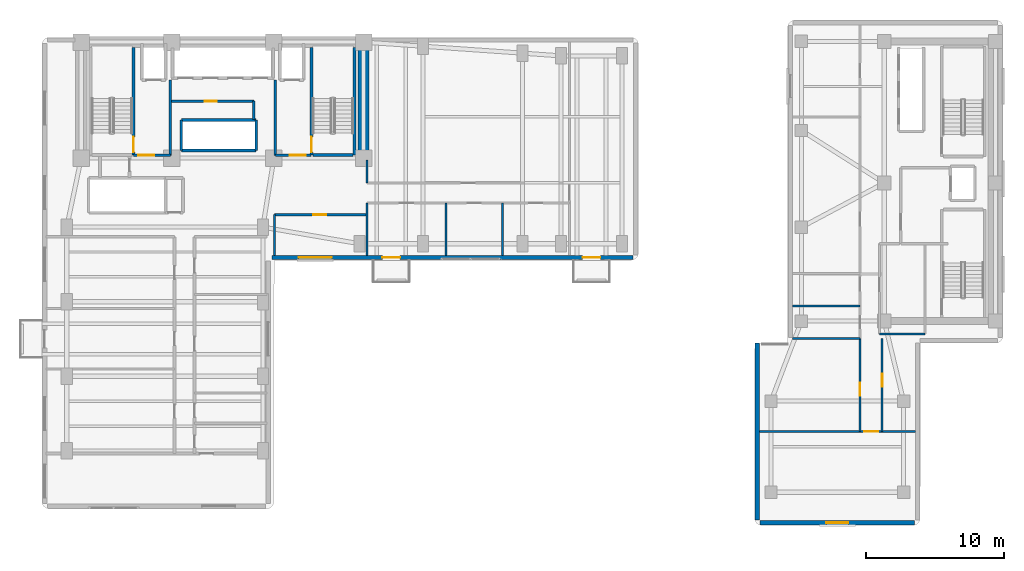
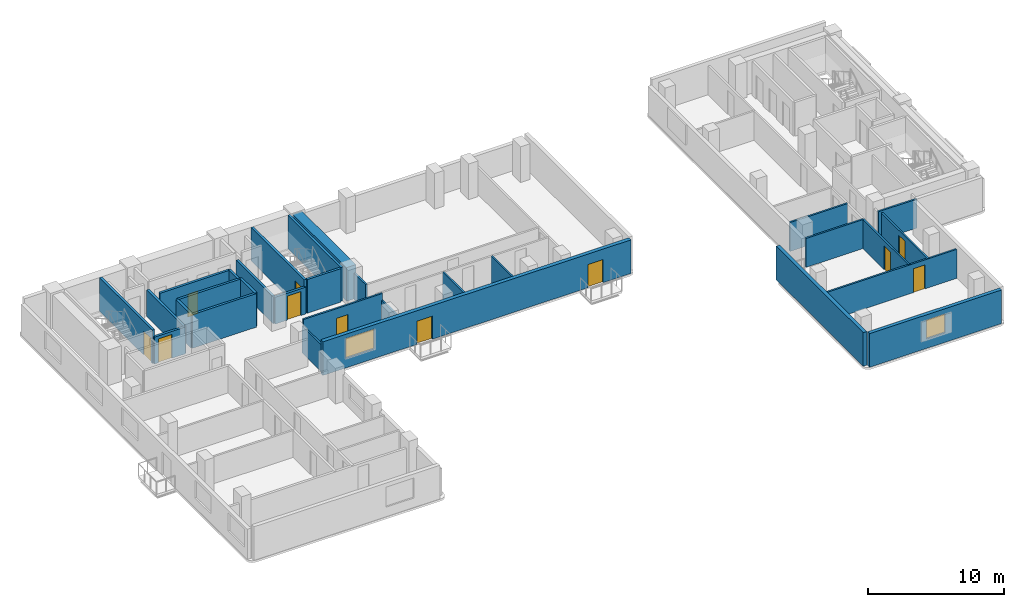
# One storey, part 9 of 14: 30 walls, 11 doors, 2 windows, 13 openings.
"""IFC4 building model written with IfcOpenShell, lengths in metres."""

from ifc_helpers import new_model, si_unit, direction, frame, frame_2d, origin, place, context, subcontext, project, spatial, rectangle, extrude, material, layer, layer_set, type_object, element, fill, save


model = new_model("IFC4")

# Units and contexts
model_context = context("Model", 3, precision=1e-05, world=origin(), true_north=direction((0.0, 1.0)))
body_context = subcontext(model_context, "Body", "Model", "MODEL_VIEW")
ifc_project = project(units=[si_unit("LENGTHUNIT", "METRE"), si_unit("AREAUNIT", "SQUARE_METRE"), si_unit("VOLUMEUNIT", "CUBIC_METRE"), si_unit("PLANEANGLEUNIT", "RADIAN"), si_unit("MASSUNIT", "GRAM", prefix="KILO")], contexts=[model_context])

# Site, building, storey
site_placement = place(None, origin())
site = spatial("IfcSite", under=ifc_project, at=site_placement, CompositionType="ELEMENT")
building_placement = place(site_placement, origin())
building = spatial("IfcBuilding", under=site, at=building_placement, Name="Kuzgunbayir Cultural Tower", CompositionType="ELEMENT")
storey_placement = place(building_placement, frame((0.0, 0.0, 69.199951171875)))
storey = spatial("IfcBuildingStorey", under=building, at=storey_placement, Name="L19", CompositionType="ELEMENT", Elevation=69.199951171875)

# Wall
ifc_material_1 = material(Name="Concrete C60/75", Category="concrete")
ifc_layer_1 = layer(ifc_material_1, 0.800048828125)
ifc_layer_set_1 = layer_set([ifc_layer_1], Name="Concrete C60/75")
wall_type_1 = type_object("IfcWallType", Name="WAL-CORE-800", PredefinedType="SHEAR", material=ifc_layer_set_1)
wall_1_placement = place(storey_placement, frame((26.89990234375, 33.800048828125, 0.0), z_axis=(0.0, 0.0, 1.0), x_axis=(0.0, 1.0, 0.0)))
element("IfcWall", 1, at=wall_1_placement, inside=storey, type_object=wall_type_1, Name="L19 T1 Core East Shear Wall", PredefinedType="SHEAR", context=body_context, shape_type="SweptSolid", body=[
    extrude(rectangle(XDim=7.949951171875, YDim=0.800048828125, at=frame_2d((3.97509765625, 0.0))), origin(), (0.0, 0.0, 1.0), 3.02001953125),
])

# Wall, opening, window
ifc_material_2 = material(Name="Anatolian Cream Limestone", Category="masonry")
ifc_layer_2 = layer(ifc_material_2, 0.300048828125)
ifc_layer_set_2 = layer_set([ifc_layer_2], Name="Anatolian Cream Limestone")
wall_type_2 = type_object("IfcWallType", Name="WAL-EXT-STONE-300", PredefinedType="STANDARD", material=ifc_layer_set_2)
wall_2_placement = place(storey_placement, frame((55.60009765625, 7.39990234375, 0.0), z_axis=(0.0, 0.0, 1.0), x_axis=(1.0, 0.0, 0.0)))
wall_2 = element("IfcWall", 2, at=wall_2_placement, inside=storey, type_object=wall_type_2, Name="L19 Companion Wing B South Wall", PredefinedType="STANDARD", context=body_context, shape_type="SweptSolid", body=[
    extrude(rectangle(XDim=11.199951171875, YDim=0.300048828125, at=frame_2d((5.60009765625, 0.0))), origin(), (0.0, 0.0, 1.0), 3.02001953125),
])
opening_1_placement = place(wall_2_placement, frame((4.800048828125, 0.0, 0.85009765625)))
opening_1 = element("IfcOpeningElement", 3, at=opening_1_placement, cuts=wall_2, Name="Opening WC-16", PredefinedType="OPENING", context=body_context, shape_type="SweptSolid", body=[
    extrude(rectangle(XDim=1.60009765625, YDim=1.699951171875, at=frame_2d((0.800048828125, 0.85009765625))), frame((0.0, 0.16015625, 0.0), z_axis=(0.0, -1.0, 0.0), x_axis=(1.0, 0.0, 0.0)), (0.0, 0.0, 1.0), 0.320068359375),
])
ifc_material_3 = material(Name="Solar-Control Triple Glazing", Category="glass")
window_type_1 = type_object("IfcWindowType", Name="WIN-COMP-16", PartitioningType="SINGLE_PANEL", PredefinedType="WINDOW", material=ifc_material_3)
window_1_placement = place(opening_1_placement, origin())
window_1 = element("IfcWindow", 4, at=window_1_placement, inside=storey, type_object=window_type_1, Name="L19 Companion South Window", OverallHeight=1.699951171875, OverallWidth=1.60009765625, PartitioningType="SINGLE_PANEL", PredefinedType="WINDOW", context=body_context, shape_type="SweptSolid", body=[
    extrude(rectangle(XDim=1.60009765625, YDim=1.699951171875, at=frame_2d((0.800048828125, 0.85009765625))), frame((0.0, 0.030029296875, 0.0), z_axis=(0.0, -1.0, 0.0), x_axis=(1.0, 0.0, 0.0)), (0.0, 0.0, 1.0), 0.06005859375),
])
fill(opening_1, window_1)

# Wall
wall_3_placement = place(storey_placement, frame((55.39990234375, 20.39990234375, 0.0), z_axis=(0.0, 0.0, 1.0), x_axis=(0.0, -1.0, 0.0)))
element("IfcWall", 5, at=wall_3_placement, inside=storey, type_object=wall_type_2, Name="L19 Companion Wing B West Wall", PredefinedType="STANDARD", context=body_context, shape_type="SweptSolid", body=[
    extrude(rectangle(XDim=12.7998046875, YDim=0.300048828125, at=frame_2d((6.39990234375, 0.0))), origin(), (0.0, 0.0, 1.0), 3.02001953125),
])

# Wall, openings, doors, window
ifc_material_4 = material(Name="Travertine Buff Ashlar", Category="masonry")
ifc_layer_3 = layer(ifc_material_4, 0.320068359375)
ifc_layer_set_3 = layer_set([ifc_layer_3], Name="Travertine Buff Ashlar")
wall_type_3 = type_object("IfcWallType", Name="WAL-EXT-STONE-320", PredefinedType="STANDARD", material=ifc_layer_set_3)
wall_4_placement = place(storey_placement, frame((20.25, 26.60009765625, 0.0), z_axis=(0.0, 0.0, 1.0), x_axis=(1.0, 0.0, 0.0)))
wall_4 = element("IfcWall", 6, at=wall_4_placement, inside=storey, type_object=wall_type_3, Name="L19 Wing B South Limestone Wall", PredefinedType="STANDARD", context=body_context, shape_type="SweptSolid", body=[
    extrude(rectangle(XDim=26.14990234375, YDim=0.320068359375, at=frame_2d((13.074951171875, 0.0))), origin(), (0.0, 0.0, 1.0), 3.02001953125),
])
opening_2_placement = place(wall_4_placement, frame((8.0, 0.0, 0.0)))
opening_2 = element("IfcOpeningElement", 7, at=opening_2_placement, cuts=wall_4, Name="Opening BD-13", PredefinedType="OPENING", context=body_context, shape_type="SweptSolid", body=[
    extrude(rectangle(XDim=1.300048828125, YDim=2.080078125, at=frame_2d((0.64990234375, 1.0400390625))), frame((0.0, 0.169921875, 0.0), z_axis=(0.0, -1.0, 0.0), x_axis=(1.0, 0.0, 0.0)), (0.0, 0.0, 1.0), 0.340087890625),
])
opening_3_placement = place(wall_4_placement, frame((22.5, 0.0, 0.0)))
opening_3 = element("IfcOpeningElement", 8, at=opening_3_placement, cuts=wall_4, Name="Opening BD-13", PredefinedType="OPENING", context=body_context, shape_type="SweptSolid", body=[
    extrude(rectangle(XDim=1.300048828125, YDim=2.080078125, at=frame_2d((0.64990234375, 1.0400390625))), frame((0.0, 0.169921875, 0.0), z_axis=(0.0, -1.0, 0.0), x_axis=(1.0, 0.0, 0.0)), (0.0, 0.0, 1.0), 0.340087890625),
])
opening_4_placement = place(wall_4_placement, frame((1.949951171875, 0.0, 0.85009765625)))
opening_4 = element("IfcOpeningElement", 9, at=opening_4_placement, cuts=wall_4, Name="Opening WO-24", PredefinedType="OPENING", context=body_context, shape_type="SweptSolid", body=[
    extrude(rectangle(XDim=2.39990234375, YDim=1.800048828125, at=frame_2d((1.199951171875, 0.89990234375))), frame((0.0, 0.169921875, 0.0), z_axis=(0.0, -1.0, 0.0), x_axis=(1.0, 0.0, 0.0)), (0.0, 0.0, 1.0), 0.340087890625),
])
ifc_material_5 = material(Name="Thermally Broken Glazed Aluminium", Category="aluminium")
door_type_1 = type_object("IfcDoorType", Name="DR-BALCONY-135", OperationType="SLIDING_TO_LEFT", PredefinedType="DOOR", material=ifc_material_5)
door_1_placement = place(opening_2_placement, origin())
door_1 = element("IfcDoor", 10, at=door_1_placement, inside=storey, type_object=door_type_1, Name="L19 South Balcony Sliding Door BAL-L19-WB1", OperationType="SLIDING_TO_LEFT", OverallHeight=2.080078125, OverallWidth=1.300048828125, PredefinedType="DOOR", context=body_context, shape_type="SweptSolid", body=[
    extrude(rectangle(XDim=1.300048828125, YDim=2.080078125, at=frame_2d((0.64990234375, 1.0400390625))), frame((0.0, 0.02490234375, 0.0), z_axis=(0.0, -1.0, 0.0), x_axis=(1.0, 0.0, 0.0)), (0.0, 0.0, 1.0), 0.050048828125),
])
fill(opening_2, door_1)
door_2_placement = place(opening_3_placement, origin())
door_2 = element("IfcDoor", 11, at=door_2_placement, inside=storey, type_object=door_type_1, Name="L19 South Balcony Sliding Door BAL-L19-WB3", OperationType="SLIDING_TO_LEFT", OverallHeight=2.080078125, OverallWidth=1.300048828125, PredefinedType="DOOR", context=body_context, shape_type="SweptSolid", body=[
    extrude(rectangle(XDim=1.300048828125, YDim=2.080078125, at=frame_2d((0.64990234375, 1.0400390625))), frame((0.0, 0.02490234375, 0.0), z_axis=(0.0, -1.0, 0.0), x_axis=(1.0, 0.0, 0.0)), (0.0, 0.0, 1.0), 0.050048828125),
])
fill(opening_3, door_2)
window_type_2 = type_object("IfcWindowType", Name="WIN-OFFICE-24", PartitioningType="SINGLE_PANEL", PredefinedType="WINDOW", material=ifc_material_3)
window_2_placement = place(opening_4_placement, origin())
window_2 = element("IfcWindow", 12, at=window_2_placement, inside=storey, type_object=window_type_2, Name="L19 WBS Facade Window 8", OverallHeight=1.800048828125, OverallWidth=2.39990234375, PartitioningType="SINGLE_PANEL", PredefinedType="WINDOW", context=body_context, shape_type="SweptSolid", body=[
    extrude(rectangle(XDim=2.39990234375, YDim=1.800048828125, at=frame_2d((1.199951171875, 0.89990234375))), frame((0.0, 0.030029296875, 0.0), z_axis=(0.0, -1.0, 0.0), x_axis=(1.0, 0.0, 0.0)), (0.0, 0.0, 1.0), 0.06005859375),
])
fill(opening_4, window_2)

# Wall, opening, door
ifc_material_6 = material(Name="Acoustic Double-Stud Drywall", Category="gypsum")
ifc_layer_4 = layer(ifc_material_6, 0.14990234375)
ifc_layer_set_4 = layer_set([ifc_layer_4], Name="Acoustic Double-Stud Drywall")
wall_type_4 = type_object("IfcWallType", Name="WAL-PART-ACOUSTIC-150", PredefinedType="PARTITIONING", material=ifc_layer_set_4)
wall_5_placement = place(storey_placement, frame((20.449951171875, 29.699951171875, 0.0), z_axis=(0.0, 0.0, 1.0), x_axis=(1.0, 0.0, 0.0)))
wall_5 = element("IfcWall", 13, at=wall_5_placement, inside=storey, type_object=wall_type_4, Name="L19 Waist Alcove North Wall", PredefinedType="PARTITIONING", context=body_context, shape_type="SweptSolid", body=[
    extrude(rectangle(XDim=6.699951171875, YDim=0.14990234375, at=frame_2d((3.35009765625, 0.0))), origin(), (0.0, 0.0, 1.0), 3.02001953125),
])
opening_5_placement = place(wall_5_placement, frame((2.800048828125, 0.0, 0.0)))
opening_5 = element("IfcOpeningElement", 14, at=opening_5_placement, cuts=wall_5, Name="Opening DI-90", PredefinedType="OPENING", context=body_context, shape_type="SweptSolid", body=[
    extrude(rectangle(XDim=0.949951171875, YDim=2.14990234375, at=frame_2d((0.47509765625, 1.074951171875))), frame((0.0, 0.0849609375, 0.0), z_axis=(0.0, -1.0, 0.0), x_axis=(1.0, 0.0, 0.0)), (0.0, 0.0, 1.0), 0.169921875),
])
ifc_material_7 = material(Name="Veneered Oak Single Leaf", Category="wood")
door_type_2 = type_object("IfcDoorType", Name="DR-INT-90", OperationType="NOTDEFINED", PredefinedType="DOOR", material=ifc_material_7)
door_3_placement = place(opening_5_placement, origin())
door_3 = element("IfcDoor", 15, at=door_3_placement, inside=storey, type_object=door_type_2, Name="L19 Waist Alcove Door", OperationType="SINGLE_SWING_LEFT", OverallHeight=2.14990234375, OverallWidth=0.949951171875, PredefinedType="DOOR", context=body_context, shape_type="SweptSolid", body=[
    extrude(rectangle(XDim=0.949951171875, YDim=2.14990234375, at=frame_2d((0.47509765625, 1.074951171875))), frame((0.0, 0.02490234375, 0.0), z_axis=(0.0, -1.0, 0.0), x_axis=(1.0, 0.0, 0.0)), (0.0, 0.0, 1.0), 0.050048828125),
])
fill(opening_5, door_3)

# Walls
wall_6_placement = place(storey_placement, frame((20.449951171875, 26.75, 0.0), z_axis=(0.0, 0.0, 1.0), x_axis=(0.0, 1.0, 0.0)))
element("IfcWall", 16, at=wall_6_placement, inside=storey, type_object=wall_type_4, Name="L19 Waist Alcove West Wall", PredefinedType="PARTITIONING", context=body_context, shape_type="SweptSolid", body=[
    extrude(rectangle(XDim=2.949951171875, YDim=0.14990234375, at=frame_2d((1.47509765625, 0.0))), origin(), (0.0, 0.0, 1.0), 2.41015625),
])
wall_7_placement = place(storey_placement, frame((27.14990234375, 26.75, 0.0), z_axis=(0.0, 0.0, 1.0), x_axis=(0.0, 1.0, 0.0)))
element("IfcWall", 17, at=wall_7_placement, inside=storey, type_object=wall_type_4, Name="L19 Waist Alcove East Wall", PredefinedType="PARTITIONING", context=body_context, shape_type="SweptSolid", body=[
    extrude(rectangle(XDim=3.800048828125, YDim=0.14990234375, at=frame_2d((1.89990234375, 0.0))), origin(), (0.0, 0.0, 1.0), 2.41015625),
])
wall_8_placement = place(storey_placement, frame((27.14990234375, 32.0, 0.0), z_axis=(0.0, 0.0, 1.0), x_axis=(0.0, 1.0, 0.0)))
element("IfcWall", 18, at=wall_8_placement, inside=storey, type_object=wall_type_4, Name="L19 Wing B North Core Closure Wall", PredefinedType="PARTITIONING", context=body_context, shape_type="SweptSolid", body=[
    extrude(rectangle(XDim=1.679931640625, YDim=0.14990234375, at=frame_2d((0.83984375, 0.0))), origin(), (0.0, 0.0, 1.0), 2.41015625),
])
for number, where, z_axis, x_axis, name in (
    (19, (32.860107421875, 26.75, 0.0), (0.0, 0.0, 1.0), (0.0, 1.0, 0.0), "L19 Wing B South Partition 1"),
    (20, (36.969970703125, 26.75, 0.0), (0.0, 0.0, 1.0), (0.0, 1.0, 0.0), "L19 Wing B South Partition 2"),
):
    element("IfcWall", number, at=place(storey_placement, frame(where, z_axis=z_axis, x_axis=x_axis)), inside=storey, type_object=wall_type_4, Name=name, PredefinedType="PARTITIONING", context=body_context, shape_type="SweptSolid", body=[
        extrude(rectangle(XDim=3.800048828125, YDim=0.14990234375, at=frame_2d((1.89990234375, 0.0))), origin(), (0.0, 0.0, 1.0), 2.41015625),
    ])
wall_9_placement = place(storey_placement, frame((64.25, 21.050048828125, 0.0), z_axis=(0.0, 0.0, 1.0), x_axis=(1.0, 0.0, 0.0)))
element("IfcWall", 21, at=wall_9_placement, inside=storey, type_object=wall_type_4, Name="L19 Companion Archive South Wall", PredefinedType="PARTITIONING", context=body_context, shape_type="SweptSolid", body=[
    extrude(rectangle(XDim=3.300048828125, YDim=0.14990234375, at=frame_2d((1.64990234375, 0.0))), origin(), (0.0, 0.0, 1.0), 2.60009765625),
])

# Wall, opening, door
wall_10_placement = place(storey_placement, frame((62.85009765625, 14.0, 0.0), z_axis=(0.0, 0.0, 1.0), x_axis=(0.0, 1.0, 0.0)))
wall_10 = element("IfcWall", 22, at=wall_10_placement, inside=storey, type_object=wall_type_4, Name="L19 Companion South Corridor West Wall", PredefinedType="PARTITIONING", context=body_context, shape_type="SweptSolid", body=[
    extrude(rectangle(XDim=6.75, YDim=0.14990234375, at=frame_2d((3.375, 0.0))), origin(), (0.0, 0.0, 1.0), 2.60009765625),
])
opening_6_placement = place(wall_10_placement, frame((2.60009765625, 0.0, 0.0)))
opening_6 = element("IfcOpeningElement", 23, at=opening_6_placement, cuts=wall_10, Name="Opening DI-90", PredefinedType="OPENING", context=body_context, shape_type="SweptSolid", body=[
    extrude(rectangle(XDim=0.949951171875, YDim=2.14990234375, at=frame_2d((0.47509765625, 1.074951171875))), frame((0.0, 0.0849609375, 0.0), z_axis=(0.0, -1.0, 0.0), x_axis=(1.0, 0.0, 0.0)), (0.0, 0.0, 1.0), 0.169921875),
])
door_4_placement = place(opening_6_placement, origin())
door_4 = element("IfcDoor", 24, at=door_4_placement, inside=storey, type_object=door_type_2, Name="L19 Companion West Atelier Door", OperationType="SINGLE_SWING_RIGHT", OverallHeight=2.14990234375, OverallWidth=0.949951171875, PredefinedType="DOOR", context=body_context, shape_type="SweptSolid", body=[
    extrude(rectangle(XDim=0.949951171875, YDim=2.14990234375, at=frame_2d((0.47509765625, 1.074951171875))), frame((0.0, 0.02490234375, 0.0), z_axis=(0.0, -1.0, 0.0), x_axis=(1.0, 0.0, 0.0)), (0.0, 0.0, 1.0), 0.050048828125),
])
fill(opening_6, door_4)

wall_11_placement = place(storey_placement, frame((55.550048828125, 14.0, 0.0), z_axis=(0.0, 0.0, 1.0), x_axis=(1.0, 0.0, 0.0)))
wall_11 = element("IfcWall", 25, at=wall_11_placement, inside=storey, type_object=wall_type_4, Name="L19 Companion South Gallery Wall", PredefinedType="PARTITIONING", context=body_context, shape_type="SweptSolid", body=[
    extrude(rectangle(XDim=11.300048828125, YDim=0.14990234375, at=frame_2d((5.64990234375, 0.0))), origin(), (0.0, 0.0, 1.0), 2.60009765625),
])
opening_7_placement = place(wall_11_placement, frame((7.60009765625, 0.0, 0.0)))
opening_7 = element("IfcOpeningElement", 26, at=opening_7_placement, cuts=wall_11, Name="Opening DI-100", PredefinedType="OPENING", context=body_context, shape_type="SweptSolid", body=[
    extrude(rectangle(XDim=1.0, YDim=2.14990234375, at=frame_2d((0.5, 1.074951171875))), frame((0.0, 0.0849609375, 0.0), z_axis=(0.0, -1.0, 0.0), x_axis=(1.0, 0.0, 0.0)), (0.0, 0.0, 1.0), 0.169921875),
])
door_type_3 = type_object("IfcDoorType", Name="DR-INT-100", OperationType="NOTDEFINED", PredefinedType="DOOR", material=ifc_material_7)
door_5_placement = place(opening_7_placement, origin())
door_5 = element("IfcDoor", 27, at=door_5_placement, inside=storey, type_object=door_type_3, Name="L19 Companion South Salon Door", OperationType="SINGLE_SWING_RIGHT", OverallHeight=2.14990234375, OverallWidth=1.0, PredefinedType="DOOR", context=body_context, shape_type="SweptSolid", body=[
    extrude(rectangle(XDim=1.0, YDim=2.14990234375, at=frame_2d((0.5, 1.074951171875))), frame((0.0, 0.02490234375, 0.0), z_axis=(0.0, -1.0, 0.0), x_axis=(1.0, 0.0, 0.0)), (0.0, 0.0, 1.0), 0.050048828125),
])
fill(opening_7, door_5)

wall_12_placement = place(storey_placement, frame((64.449951171875, 14.0, 0.0), z_axis=(0.0, 0.0, 1.0), x_axis=(0.0, 1.0, 0.0)))
wall_12 = element("IfcWall", 28, at=wall_12_placement, inside=storey, type_object=wall_type_4, Name="L19 Companion South Corridor East Wall", PredefinedType="PARTITIONING", context=body_context, shape_type="SweptSolid", body=[
    extrude(rectangle(XDim=6.75, YDim=0.14990234375, at=frame_2d((3.375, 0.0))), origin(), (0.0, 0.0, 1.0), 2.60009765625),
])
opening_8_placement = place(wall_12_placement, frame((3.239990234375, 0.0, 0.0)))
opening_8 = element("IfcOpeningElement", 29, at=opening_8_placement, cuts=wall_12, Name="Opening DI-90", PredefinedType="OPENING", context=body_context, shape_type="SweptSolid", body=[
    extrude(rectangle(XDim=0.949951171875, YDim=2.14990234375, at=frame_2d((0.47509765625, 1.074951171875))), frame((0.0, 0.0849609375, 0.0), z_axis=(0.0, -1.0, 0.0), x_axis=(1.0, 0.0, 0.0)), (0.0, 0.0, 1.0), 0.169921875),
])
door_6_placement = place(opening_8_placement, origin())
door_6 = element("IfcDoor", 30, at=door_6_placement, inside=storey, type_object=door_type_2, Name="L19 Companion East Studio Door", OperationType="SINGLE_SWING_LEFT", OverallHeight=2.14990234375, OverallWidth=0.949951171875, PredefinedType="DOOR", context=body_context, shape_type="SweptSolid", body=[
    extrude(rectangle(XDim=0.949951171875, YDim=2.14990234375, at=frame_2d((0.47509765625, 1.074951171875))), frame((0.0, 0.02490234375, 0.0), z_axis=(0.0, -1.0, 0.0), x_axis=(1.0, 0.0, 0.0)), (0.0, 0.0, 1.0), 0.050048828125),
])
fill(opening_8, door_6)

# Wall
ifc_material_8 = material(Name="Aerated Concrete Blockwork", Category="masonry")
ifc_layer_5 = layer(ifc_material_8, 0.199951171875)
ifc_layer_set_5 = layer_set([ifc_layer_5], Name="Aerated Concrete Blockwork")
wall_type_5 = type_object("IfcWallType", Name="WAL-PART-FIRE-200", PredefinedType="PARTITIONING", material=ifc_layer_set_5)
wall_13_placement = place(storey_placement, frame((12.89990234375, 34.0, 0.0), z_axis=(0.0, 0.0, 1.0), x_axis=(0.0, 1.0, 0.0)))
element("IfcWall", 31, at=wall_13_placement, inside=storey, type_object=wall_type_5, Name="L19 FFL-1 Lobby East Fire Wall", PredefinedType="PARTITIONING", context=body_context, shape_type="SweptSolid", body=[
    extrude(rectangle(XDim=5.449951171875, YDim=0.199951171875, at=frame_2d((2.72509765625, 0.0))), origin(), (0.0, 0.0, 1.0), 2.41015625),
])

# Wall, opening, door
wall_14_placement = place(storey_placement, frame((10.239990234375, 34.0, 0.0), z_axis=(0.0, 0.0, 1.0), x_axis=(1.0, 0.0, 0.0)))
wall_14 = element("IfcWall", 32, at=wall_14_placement, inside=storey, type_object=wall_type_5, Name="L19 FFL-1 Lobby South Fire Wall", PredefinedType="PARTITIONING", context=body_context, shape_type="SweptSolid", body=[
    extrude(rectangle(XDim=2.659912109375, YDim=0.199951171875, at=frame_2d((1.330078125, 0.0))), origin(), (0.0, 0.0, 1.0), 2.41015625),
])
opening_9_placement = place(wall_14_placement, frame((0.35009765625, 0.0, 0.0)))
opening_9 = element("IfcOpeningElement", 33, at=opening_9_placement, cuts=wall_14, Name="Opening DR-FFL-90", PredefinedType="OPENING", context=body_context, shape_type="SweptSolid", body=[
    extrude(rectangle(XDim=1.14990234375, YDim=2.14990234375, at=frame_2d((0.574951171875, 1.074951171875))), frame((0.0, 0.10986328125, 0.0), z_axis=(0.0, -1.0, 0.0), x_axis=(1.0, 0.0, 0.0)), (0.0, 0.0, 1.0), 0.219970703125),
])
ifc_material_9 = material(Name="Steel S355J2", Category="steel")
door_type_4 = type_object("IfcDoorType", Name="DR-FFL-90", OperationType="NOTDEFINED", PredefinedType="DOOR", material=ifc_material_9)
door_7_placement = place(opening_9_placement, origin())
door_7 = element("IfcDoor", 34, at=door_7_placement, inside=storey, type_object=door_type_4, Name="L19 Firefighting Lobby 1 Door", OperationType="SINGLE_SWING_LEFT", OverallHeight=2.14990234375, OverallWidth=1.14990234375, PredefinedType="DOOR", context=body_context, shape_type="SweptSolid", body=[
    extrude(rectangle(XDim=1.14990234375, YDim=2.14990234375, at=frame_2d((0.574951171875, 1.074951171875))), frame((0.0, 0.02490234375, 0.0), z_axis=(0.0, -1.0, 0.0), x_axis=(1.0, 0.0, 0.0)), (0.0, 0.0, 1.0), 0.050048828125),
])
fill(opening_9, door_7)

# Wall
wall_15_placement = place(storey_placement, frame((20.5, 34.0, 0.0), z_axis=(0.0, 0.0, 1.0), x_axis=(0.0, 1.0, 0.0)))
element("IfcWall", 35, at=wall_15_placement, inside=storey, type_object=wall_type_5, Name="L19 FFL-2 Lobby West Fire Wall", PredefinedType="PARTITIONING", context=body_context, shape_type="SweptSolid", body=[
    extrude(rectangle(XDim=5.449951171875, YDim=0.199951171875, at=frame_2d((2.72509765625, 0.0))), origin(), (0.0, 0.0, 1.0), 2.41015625),
])

# Wall, opening, door
wall_16_placement = place(storey_placement, frame((20.5, 34.0, 0.0), z_axis=(0.0, 0.0, 1.0), x_axis=(1.0, 0.0, 0.0)))
wall_16 = element("IfcWall", 36, at=wall_16_placement, inside=storey, type_object=wall_type_5, Name="L19 FFL-2 Lobby South Fire Wall", PredefinedType="PARTITIONING", context=body_context, shape_type="SweptSolid", body=[
    extrude(rectangle(XDim=2.60009765625, YDim=0.199951171875, at=frame_2d((1.300048828125, 0.0))), origin(), (0.0, 0.0, 1.0), 2.41015625),
])
opening_10_placement = place(wall_16_placement, frame((1.050048828125, 0.0, 0.0)))
opening_10 = element("IfcOpeningElement", 37, at=opening_10_placement, cuts=wall_16, Name="Opening DR-FFL-90", PredefinedType="OPENING", context=body_context, shape_type="SweptSolid", body=[
    extrude(rectangle(XDim=1.14990234375, YDim=2.14990234375, at=frame_2d((0.574951171875, 1.074951171875))), frame((0.0, 0.10986328125, 0.0), z_axis=(0.0, -1.0, 0.0), x_axis=(1.0, 0.0, 0.0)), (0.0, 0.0, 1.0), 0.219970703125),
])
door_8_placement = place(opening_10_placement, origin())
door_8 = element("IfcDoor", 38, at=door_8_placement, inside=storey, type_object=door_type_4, Name="L19 Firefighting Lobby 2 Door", OperationType="SINGLE_SWING_RIGHT", OverallHeight=2.14990234375, OverallWidth=1.14990234375, PredefinedType="DOOR", context=body_context, shape_type="SweptSolid", body=[
    extrude(rectangle(XDim=1.14990234375, YDim=2.14990234375, at=frame_2d((0.574951171875, 1.074951171875))), frame((0.0, 0.02490234375, 0.0), z_axis=(0.0, -1.0, 0.0), x_axis=(1.0, 0.0, 0.0)), (0.0, 0.0, 1.0), 0.050048828125),
])
fill(opening_10, door_8)

wall_17_placement = place(storey_placement, frame((13.0, 37.919921875, 0.0), z_axis=(0.0, 0.0, 1.0), x_axis=(1.0, 0.0, 0.0)))
wall_17 = element("IfcWall", 39, at=wall_17_placement, inside=storey, type_object=wall_type_5, Name="L19 Core Comms North Wall", PredefinedType="PARTITIONING", context=body_context, shape_type="SweptSolid", body=[
    extrude(rectangle(XDim=5.949951171875, YDim=0.199951171875, at=frame_2d((2.97509765625, 0.0))), origin(), (0.0, 0.0, 1.0), 3.02001953125),
])
opening_11_placement = place(wall_17_placement, frame((2.39990234375, 0.0, 0.0)))
opening_11 = element("IfcOpeningElement", 40, at=opening_11_placement, cuts=wall_17, Name="Opening DR-RSR-60", PredefinedType="OPENING", context=body_context, shape_type="SweptSolid", body=[
    extrude(rectangle(XDim=0.85009765625, YDim=2.050048828125, at=frame_2d((0.425048828125, 1.02490234375))), frame((0.0, 0.10986328125, 0.0), z_axis=(0.0, -1.0, 0.0), x_axis=(1.0, 0.0, 0.0)), (0.0, 0.0, 1.0), 0.219970703125),
])
ifc_material_10 = material(Name="Steel Access Leaf", Category="steel")
door_type_5 = type_object("IfcDoorType", Name="DR-RISER-60", OperationType="NOTDEFINED", PredefinedType="DOOR", material=ifc_material_10)
door_9_placement = place(opening_11_placement, origin())
door_9 = element("IfcDoor", 41, at=door_9_placement, inside=storey, type_object=door_type_5, Name="L19 Core Telecom Switchroom Door", OperationType="SINGLE_SWING_LEFT", OverallHeight=2.050048828125, OverallWidth=0.85009765625, PredefinedType="DOOR", context=body_context, shape_type="SweptSolid", body=[
    extrude(rectangle(XDim=0.85009765625, YDim=2.050048828125, at=frame_2d((0.425048828125, 1.02490234375))), frame((0.0, 0.02490234375, 0.0), z_axis=(0.0, -1.0, 0.0), x_axis=(1.0, 0.0, 0.0)), (0.0, 0.0, 1.0), 0.050048828125),
])
fill(opening_11, door_9)

# Walls
wall_18_placement = place(storey_placement, frame((18.949951171875, 36.60009765625, 0.0), z_axis=(0.0, 0.0, 1.0), x_axis=(0.0, 1.0, 0.0)))
element("IfcWall", 42, at=wall_18_placement, inside=storey, type_object=wall_type_5, Name="L19 Core Comms East Wall", PredefinedType="PARTITIONING", context=body_context, shape_type="SweptSolid", body=[
    extrude(rectangle(XDim=1.31982421875, YDim=0.199951171875, at=frame_2d((0.659912109375, 0.0))), origin(), (0.0, 0.0, 1.0), 3.02001953125),
])
ifc_material_11 = material(Name="Moisture-Resistant Tile Partition", Category="gypsum")
ifc_layer_6 = layer(ifc_material_11, 0.14990234375)
ifc_layer_set_6 = layer_set([ifc_layer_6], Name="Moisture-Resistant Tile Partition")
wall_type_6 = type_object("IfcWallType", Name="WAL-PART-WET-150", PredefinedType="PARTITIONING", material=ifc_layer_set_6)
for number, where, z_axis, x_axis, name in (
    (43, (57.949951171875, 20.75, 0.0), (0.0, 0.0, 1.0), (1.0, 0.0, 0.0), "L19 Companion WC South Wall"),
    (44, (57.949951171875, 23.10009765625, 0.0), (0.0, 0.0, 1.0), (1.0, 0.0, 0.0), "L19 Companion WC North Wall"),
):
    element("IfcWall", number, at=place(storey_placement, frame(where, z_axis=z_axis, x_axis=x_axis)), inside=storey, type_object=wall_type_6, Name=name, PredefinedType="PARTITIONING", context=body_context, shape_type="SweptSolid", body=[
        extrude(rectangle(XDim=4.900146484375, YDim=0.14990234375, at=frame_2d((2.4501953125, 0.0))), origin(), (0.0, 0.0, 1.0), 2.60009765625),
    ])
ifc_material_12 = material(Name="Concrete C40/50", Category="concrete")
ifc_layer_7 = layer(ifc_material_12, 0.199951171875)
ifc_layer_set_7 = layer_set([ifc_layer_7], Name="Concrete C40/50")
wall_type_7 = type_object("IfcWallType", Name="WAL-SHAFT-200", PredefinedType="MOVABLE", material=ifc_layer_set_7)
for number, where, z_axis, x_axis, name in (
    (45, (13.699951171875, 34.35009765625, 0.0), (0.0, 0.0, 1.0), (1.0, 0.0, 0.0), "L19 Mid-Rise Lift Front Wall"),
    (46, (13.699951171875, 36.550048828125, 0.0), (0.0, 0.0, 1.0), (1.0, 0.0, 0.0), "L19 Mid-Rise Lift Shaft North Wall"),
):
    element("IfcWall", number, at=place(storey_placement, frame(where, z_axis=z_axis, x_axis=x_axis)), inside=storey, type_object=wall_type_7, Name=name, PredefinedType="MOVABLE", context=body_context, shape_type="SweptSolid", body=[
        extrude(rectangle(XDim=5.420166015625, YDim=0.199951171875, at=frame_2d((2.7099609375, 0.0))), origin(), (0.0, 0.0, 1.0), 3.02001953125),
    ])
for number, where, z_axis, x_axis, name in (
    (47, (13.699951171875, 34.35009765625, 0.0), (0.0, 0.0, 1.0), (0.0, 1.0, 0.0), "L19 Mid-Rise Lift Shaft West Wall"),
    (48, (19.1201171875, 34.35009765625, 0.0), (0.0, 0.0, 1.0), (0.0, 1.0, 0.0), "L19 Mid-Rise Lift Shaft East Wall"),
):
    element("IfcWall", number, at=place(storey_placement, frame(where, z_axis=z_axis, x_axis=x_axis)), inside=storey, type_object=wall_type_7, Name=name, PredefinedType="MOVABLE", context=body_context, shape_type="SweptSolid", body=[
        extrude(rectangle(XDim=2.199951171875, YDim=0.199951171875, at=frame_2d((1.10009765625, 0.0))), origin(), (0.0, 0.0, 1.0), 3.02001953125),
    ])

# Wall, opening, door
ifc_layer_8 = layer(ifc_material_12, 0.199951171875)
ifc_layer_set_8 = layer_set([ifc_layer_8], Name="Concrete C40/50")
wall_type_8 = type_object("IfcWallType", Name="WAL-STAIR-RC-200", PredefinedType="SHEAR", material=ifc_layer_set_8)
wall_19_placement = place(storey_placement, frame((10.239990234375, 34.02001953125, 0.0), z_axis=(0.0, 0.0, 1.0), x_axis=(0.0, 1.0, 0.0)))
wall_19 = element("IfcWall", 49, at=wall_19_placement, inside=storey, type_object=wall_type_8, Name="L19 Stair ST-1 East Structural Wall", PredefinedType="SHEAR", context=body_context, shape_type="SweptSolid", body=[
    extrude(rectangle(XDim=7.780029296875, YDim=0.199951171875, at=frame_2d((3.89013671875, 0.0))), origin(), (0.0, 0.0, 1.0), 3.02001953125),
])
opening_12_placement = place(wall_19_placement, frame((0.219970703125, 0.0, 0.0)))
opening_12 = element("IfcOpeningElement", 50, at=opening_12_placement, cuts=wall_19, Name="Opening DR-STAIR-90", PredefinedType="OPENING", context=body_context, shape_type="SweptSolid", body=[
    extrude(rectangle(XDim=1.10009765625, YDim=2.14990234375, at=frame_2d((0.550048828125, 1.074951171875))), frame((0.0, 0.10986328125, 0.0), z_axis=(0.0, -1.0, 0.0), x_axis=(1.0, 0.0, 0.0)), (0.0, 0.0, 1.0), 0.219970703125),
])
door_type_6 = type_object("IfcDoorType", Name="DR-STAIR-90", OperationType="NOTDEFINED", PredefinedType="DOOR", material=ifc_material_9)
door_10_placement = place(opening_12_placement, origin())
door_10 = element("IfcDoor", 51, at=door_10_placement, inside=storey, type_object=door_type_6, Name="L19 Stair ST-1 Fire Door", OperationType="SINGLE_SWING_LEFT", OverallHeight=2.14990234375, OverallWidth=1.10009765625, PredefinedType="DOOR", context=body_context, shape_type="SweptSolid", body=[
    extrude(rectangle(XDim=1.10009765625, YDim=2.14990234375, at=frame_2d((0.550048828125, 1.074951171875))), frame((0.0, 0.02490234375, 0.0), z_axis=(0.0, -1.0, 0.0), x_axis=(1.0, 0.0, 0.0)), (0.0, 0.0, 1.0), 0.050048828125),
])
fill(opening_12, door_10)

wall_20_placement = place(storey_placement, frame((23.1201171875, 34.02001953125, 0.0), z_axis=(0.0, 0.0, 1.0), x_axis=(0.0, 1.0, 0.0)))
wall_20 = element("IfcWall", 52, at=wall_20_placement, inside=storey, type_object=wall_type_8, Name="L19 Stair ST-2 West Structural Wall", PredefinedType="SHEAR", context=body_context, shape_type="SweptSolid", body=[
    extrude(rectangle(XDim=7.780029296875, YDim=0.199951171875, at=frame_2d((3.89013671875, 0.0))), origin(), (0.0, 0.0, 1.0), 3.02001953125),
])
opening_13_placement = place(wall_20_placement, frame((0.219970703125, 0.0, 0.0)))
opening_13 = element("IfcOpeningElement", 53, at=opening_13_placement, cuts=wall_20, Name="Opening DR-STAIR-90", PredefinedType="OPENING", context=body_context, shape_type="SweptSolid", body=[
    extrude(rectangle(XDim=1.10009765625, YDim=2.14990234375, at=frame_2d((0.550048828125, 1.074951171875))), frame((0.0, 0.10986328125, 0.0), z_axis=(0.0, -1.0, 0.0), x_axis=(1.0, 0.0, 0.0)), (0.0, 0.0, 1.0), 0.219970703125),
])
door_11_placement = place(opening_13_placement, origin())
door_11 = element("IfcDoor", 54, at=door_11_placement, inside=storey, type_object=door_type_6, Name="L19 Stair ST-2 Fire Door", OperationType="SINGLE_SWING_LEFT", OverallHeight=2.14990234375, OverallWidth=1.10009765625, PredefinedType="DOOR", context=body_context, shape_type="SweptSolid", body=[
    extrude(rectangle(XDim=1.10009765625, YDim=2.14990234375, at=frame_2d((0.550048828125, 1.074951171875))), frame((0.0, 0.02490234375, 0.0), z_axis=(0.0, -1.0, 0.0), x_axis=(1.0, 0.0, 0.0)), (0.0, 0.0, 1.0), 0.050048828125),
])
fill(opening_13, door_11)

# Walls
wall_21_placement = place(storey_placement, frame((26.239990234375, 34.02001953125, 0.0), z_axis=(0.0, 0.0, 1.0), x_axis=(0.0, 1.0, 0.0)))
element("IfcWall", 55, at=wall_21_placement, inside=storey, type_object=wall_type_8, Name="L19 Stair ST-2 East Structural Wall", PredefinedType="SHEAR", context=body_context, shape_type="SweptSolid", body=[
    extrude(rectangle(XDim=7.780029296875, YDim=0.199951171875, at=frame_2d((3.89013671875, 0.0))), origin(), (0.0, 0.0, 1.0), 3.02001953125),
])
wall_22_placement = place(storey_placement, frame((23.239990234375, 34.02001953125, 0.0), z_axis=(0.0, 0.0, 1.0), x_axis=(1.0, 0.0, 0.0)))
element("IfcWall", 56, at=wall_22_placement, inside=storey, type_object=wall_type_8, Name="L19 Stair ST-2 South Structural Wall", PredefinedType="SHEAR", context=body_context, shape_type="SweptSolid", body=[
    extrude(rectangle(XDim=2.880126953125, YDim=0.199951171875, at=frame_2d((1.43994140625, 0.0))), origin(), (0.0, 0.0, 1.0), 3.02001953125),
])

save(model, "model.ifc")
